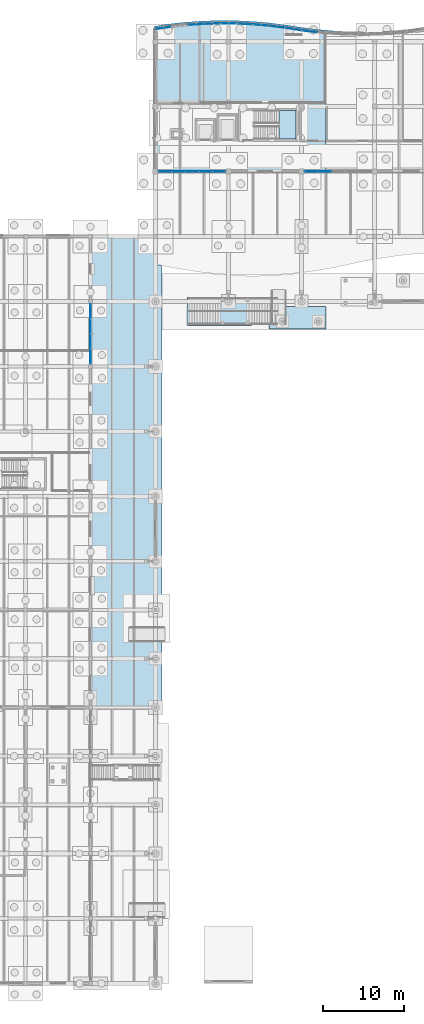
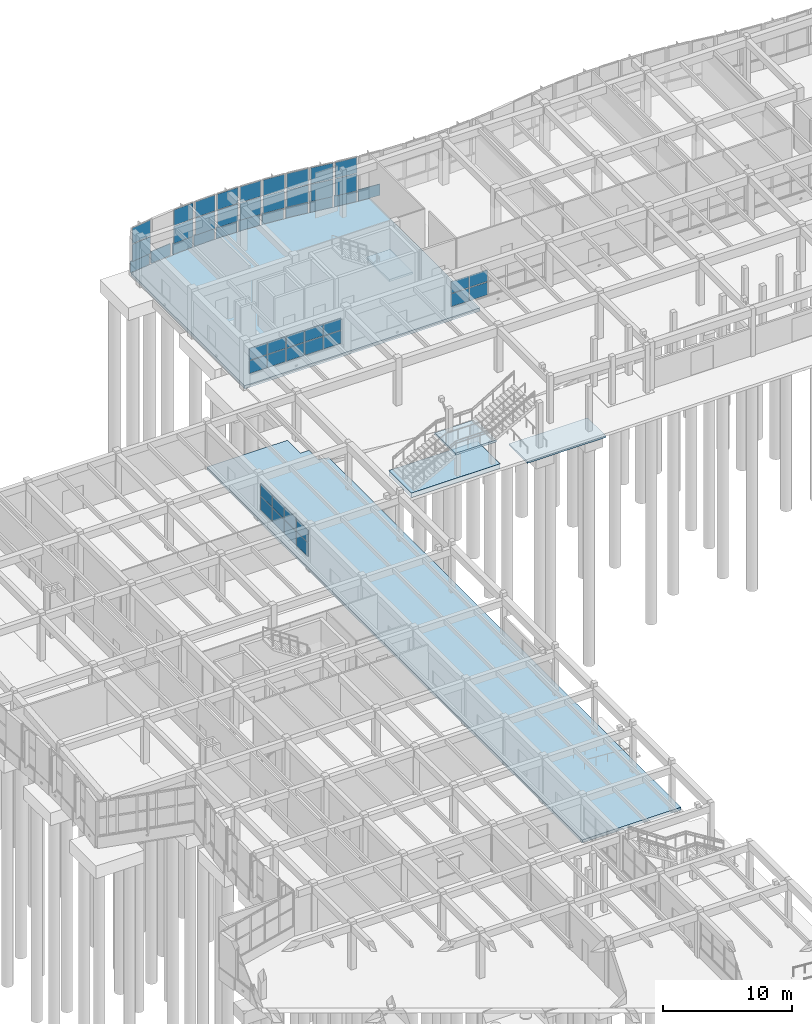
# One storey, part 54 of 99: 51 plates, 6 slabs, 14 elements without a shape of their own.
"""IFC4 building model written with IfcOpenShell, lengths in metres."""

from ifc_helpers import new_model, si_unit, direction, frame, origin, origin_2d, place, context, subcontext, project, spatial, polyline, rectangle, outline, extrude, material, layer, layer_set, type_object, element, aggregate, save


model = new_model("IFC4")

# Units and contexts
model_context = context("Model", 3, precision=1e-05, world=origin(), true_north=direction((0.0, 1.0)))
body_context = subcontext(model_context, "Body", "Model", "MODEL_VIEW")
ifc_project = project(units=[si_unit("LENGTHUNIT", "METRE"), si_unit("AREAUNIT", "SQUARE_METRE"), si_unit("VOLUMEUNIT", "CUBIC_METRE"), si_unit("PLANEANGLEUNIT", "RADIAN"), si_unit("MASSUNIT", "GRAM", prefix="KILO")], contexts=[model_context])

# Site, building, storey
site_placement = place(None, origin())
site = spatial("IfcSite", under=ifc_project, at=site_placement, CompositionType="ELEMENT")
building_placement = place(site_placement, origin())
building = spatial("IfcBuilding", under=site, at=building_placement, Name="Tonlespit Floodbar School", CompositionType="ELEMENT")
storey_placement = place(building_placement, origin())
storey = spatial("IfcBuildingStorey", under=building, at=storey_placement, Name="L00", CompositionType="ELEMENT", Elevation=0.0)

# Curtain wall, plates
ifc_material_1 = material(Name="Anodised Aluminium", Category="aluminium")
ifc_layer_1 = layer(ifc_material_1, 0.159912109375)
ifc_layer_set_1 = layer_set([ifc_layer_1], Name="Anodised Aluminium")
curtain_wall_type_1 = type_object("IfcCurtainWallType", Name="CurtainWall_1950x3300", PredefinedType="NOTDEFINED", material=ifc_layer_set_1)
curtain_wall_1_placement = place(storey_placement, origin())
curtain_wall_1 = element("IfcCurtainWall", 1, at=curtain_wall_1_placement, inside=storey, type_object=curtain_wall_type_1, Name="L00 unitised curtain wall 0001", PredefinedType="NOTDEFINED")
ifc_material_2 = material(Name="Laminated Low-E Glass", Category="glass")
ifc_layer_2 = layer(ifc_material_2, 0.028076171875)
ifc_layer_set_2 = layer_set([ifc_layer_2], Name="Laminated Low-E Glass")
plate_type_1 = type_object("IfcPlateType", Name="CW_Panel_Glaz_28", PredefinedType="CURTAIN_PANEL", material=ifc_layer_set_2)
plate_1_placement = place(storey_placement, frame((45.0, 121.69580078125, 1.014892578125), z_axis=(0.0, 0.0, 1.0), x_axis=(0.989541561858, 0.144248041079, 0.0)))
plate_1 = element("IfcPlate", 2, at=plate_1_placement, type_object=plate_type_1, Name="CW-01 panel 1.1", PredefinedType="CURTAIN_PANEL", context=body_context, shape_type="SweptSolid", body=[
    extrude(rectangle(XDim=1.81103515625, YDim=0.028076171875, at=origin_2d()), origin(), (0.0, 0.0, 1.0), 1.61328125),
])
plate_2_placement = place(storey_placement, frame((45.0, 121.69580078125, 2.693359375), z_axis=(0.0, 0.0, 1.0), x_axis=(0.989541561858, 0.144248041079, 0.0)))
plate_2 = element("IfcPlate", 3, at=plate_2_placement, type_object=plate_type_1, Name="CW-01 panel 1.2", PredefinedType="CURTAIN_PANEL", context=body_context, shape_type="SweptSolid", body=[
    extrude(rectangle(XDim=1.81103515625, YDim=0.028076171875, at=origin_2d()), origin(), (0.0, 0.0, 1.0), 1.481689453125),
])
aggregate(curtain_wall_1, [plate_1, plate_2])

ifc_layer_3 = layer(ifc_material_1, 0.159912109375)
ifc_layer_set_3 = layer_set([ifc_layer_3], Name="Anodised Aluminium")
curtain_wall_type_2 = type_object("IfcCurtainWallType", Name="CurtainWall_1900x3300", PredefinedType="NOTDEFINED", material=ifc_layer_set_3)
curtain_wall_2_placement = place(storey_placement, origin())
curtain_wall_2 = element("IfcCurtainWall", 4, at=curtain_wall_2_placement, inside=storey, type_object=curtain_wall_type_2, Name="L00 unitised curtain wall 0005", PredefinedType="NOTDEFINED")
plate_3_placement = place(storey_placement, frame((55.0, 122.1796875, 1.014892578125), z_axis=(0.0, 0.0, 1.0), x_axis=(0.998841500616, -0.048121270216, 0.0)))
plate_3 = element("IfcPlate", 5, at=plate_3_placement, type_object=plate_type_1, Name="CW-02 panel 1.1", PredefinedType="CURTAIN_PANEL", context=body_context, shape_type="SweptSolid", body=[
    extrude(rectangle(XDim=1.792236328125, YDim=0.028076171875, at=origin_2d()), origin(), (0.0, 0.0, 1.0), 1.61328125),
])
plate_4_placement = place(storey_placement, frame((55.0, 122.1796875, 2.693359375), z_axis=(0.0, 0.0, 1.0), x_axis=(0.998841500616, -0.048121270216, 0.0)))
plate_4 = element("IfcPlate", 6, at=plate_4_placement, type_object=plate_type_1, Name="CW-02 panel 1.2", PredefinedType="CURTAIN_PANEL", context=body_context, shape_type="SweptSolid", body=[
    extrude(rectangle(XDim=1.792236328125, YDim=0.028076171875, at=origin_2d()), origin(), (0.0, 0.0, 1.0), 1.481689453125),
])
aggregate(curtain_wall_2, [plate_3, plate_4])

curtain_wall_3_placement = place(storey_placement, origin())
curtain_wall_3 = element("IfcCurtainWall", 7, at=curtain_wall_3_placement, inside=storey, type_object=curtain_wall_type_1, Name="L00 unitised curtain wall 0009", PredefinedType="NOTDEFINED")
plate_5_placement = place(storey_placement, frame((63.0, 121.268310546875, 1.014892578125), z_axis=(0.0, 0.0, 1.0), x_axis=(0.992155002499, -0.125013803299, 0.0)))
plate_5 = element("IfcPlate", 8, at=plate_5_placement, type_object=plate_type_1, Name="CW-01 panel 1.1", PredefinedType="CURTAIN_PANEL", context=body_context, shape_type="SweptSolid", body=[
    extrude(rectangle(XDim=1.805908203125, YDim=0.028076171875, at=origin_2d()), origin(), (0.0, 0.0, 1.0), 1.61328125),
])
plate_6_placement = place(storey_placement, frame((63.0, 121.268310546875, 2.693359375), z_axis=(0.0, 0.0, 1.0), x_axis=(0.992155002499, -0.125013803299, 0.0)))
plate_6 = element("IfcPlate", 9, at=plate_6_placement, type_object=plate_type_1, Name="CW-01 panel 1.2", PredefinedType="CURTAIN_PANEL", context=body_context, shape_type="SweptSolid", body=[
    extrude(rectangle(XDim=1.805908203125, YDim=0.028076171875, at=origin_2d()), origin(), (0.0, 0.0, 1.0), 1.481689453125),
])
aggregate(curtain_wall_3, [plate_5, plate_6])

curtain_wall_4_placement = place(storey_placement, origin())
curtain_wall_4 = element("IfcCurtainWall", 10, at=curtain_wall_4_placement, inside=storey, type_object=curtain_wall_type_2, Name="L00 unitised curtain wall 0002", PredefinedType="NOTDEFINED")
ifc_layer_4 = layer(ifc_material_2, 0.031982421875)
ifc_layer_set_4 = layer_set([ifc_layer_4], Name="Laminated Low-E Glass")
plate_type_2 = type_object("IfcPlateType", Name="CW_Panel_Glaz_32", PredefinedType="CURTAIN_PANEL", material=ifc_layer_set_4)
plate_7_placement = place(storey_placement, frame((49.0, 122.121826171875, 1.014892578125), z_axis=(0.0, 0.0, 1.0), x_axis=(0.99773010165, 0.067339767311, 0.0)))
plate_7 = element("IfcPlate", 11, at=plate_7_placement, type_object=plate_type_2, Name="CW-02 panel 1.1", PredefinedType="CURTAIN_PANEL", context=body_context, shape_type="SweptSolid", body=[
    extrude(rectangle(XDim=1.794677734375, YDim=0.031982421875, at=origin_2d()), origin(), (0.0, 0.0, 1.0), 1.61328125),
])
plate_8_placement = place(storey_placement, frame((49.0, 122.121826171875, 2.693359375), z_axis=(0.0, 0.0, 1.0), x_axis=(0.99773010165, 0.067339767311, 0.0)))
plate_8 = element("IfcPlate", 12, at=plate_8_placement, type_object=plate_type_2, Name="CW-02 panel 1.2", PredefinedType="CURTAIN_PANEL", context=body_context, shape_type="SweptSolid", body=[
    extrude(rectangle(XDim=1.794677734375, YDim=0.031982421875, at=origin_2d()), origin(), (0.0, 0.0, 1.0), 1.481689453125),
])
aggregate(curtain_wall_4, [plate_7, plate_8])

curtain_wall_5_placement = place(storey_placement, origin())
curtain_wall_5 = element("IfcCurtainWall", 13, at=curtain_wall_5_placement, inside=storey, type_object=curtain_wall_type_1, Name="L00 unitised curtain wall 0006", PredefinedType="NOTDEFINED")
plate_9_placement = place(storey_placement, frame((57.0, 122.044677734375, 1.014892578125), z_axis=(0.0, 0.0, 1.0), x_axis=(0.996249148412, -0.086531117454, 0.0)))
plate_9 = element("IfcPlate", 14, at=plate_9_placement, type_object=plate_type_2, Name="CW-01 panel 1.1", PredefinedType="CURTAIN_PANEL", context=body_context, shape_type="SweptSolid", body=[
    extrude(rectangle(XDim=1.797607421875, YDim=0.031982421875, at=origin_2d()), origin(), (0.0, 0.0, 1.0), 1.61328125),
])
plate_10_placement = place(storey_placement, frame((57.0, 122.044677734375, 2.693359375), z_axis=(0.0, 0.0, 1.0), x_axis=(0.996249148412, -0.086531117454, 0.0)))
plate_10 = element("IfcPlate", 15, at=plate_10_placement, type_object=plate_type_2, Name="CW-01 panel 1.2", PredefinedType="CURTAIN_PANEL", context=body_context, shape_type="SweptSolid", body=[
    extrude(rectangle(XDim=1.797607421875, YDim=0.031982421875, at=origin_2d()), origin(), (0.0, 0.0, 1.0), 1.481689453125),
])
aggregate(curtain_wall_5, [plate_9, plate_10])

ifc_layer_5 = layer(ifc_material_1, 0.159912109375)
ifc_layer_set_5 = layer_set([ifc_layer_5], Name="Anodised Aluminium")
curtain_wall_type_3 = type_object("IfcCurtainWallType", Name="CurtainWall_8300x2500", PredefinedType="NOTDEFINED", material=ifc_layer_set_5)
curtain_wall_6_placement = place(storey_placement, origin())
curtain_wall_6 = element("IfcCurtainWall", 16, at=curtain_wall_6_placement, inside=storey, type_object=curtain_wall_type_3, Name="L00 unitised curtain wall 0038", PredefinedType="NOTDEFINED")
plate_11_placement = place(storey_placement, frame((64.8359375, 104.0, 1.01513671875), z_axis=(0.0, 0.0, 1.0), x_axis=(-1.0, 0.0, 0.0)))
plate_11 = element("IfcPlate", 17, at=plate_11_placement, type_object=plate_type_2, Name="CW-03 panel 4.1", PredefinedType="CURTAIN_PANEL", context=body_context, shape_type="SweptSolid", body=[
    extrude(rectangle(XDim=1.59912109375, YDim=0.031982421875, at=origin_2d()), origin(), (0.0, 0.0, 1.0), 1.197265625),
])
plate_12_placement = place(storey_placement, frame((64.8359375, 104.0, 2.27734375), z_axis=(0.0, 0.0, 1.0), x_axis=(-1.0, 0.0, 0.0)))
plate_12 = element("IfcPlate", 18, at=plate_12_placement, type_object=plate_type_2, Name="CW-03 panel 4.2", PredefinedType="CURTAIN_PANEL", context=body_context, shape_type="SweptSolid", body=[
    extrude(rectangle(XDim=1.59912109375, YDim=0.031982421875, at=origin_2d()), origin(), (0.0, 0.0, 1.0), 1.09765625),
])
plate_13_placement = place(storey_placement, frame((63.188232421875, 104.0, 1.01513671875), z_axis=(0.0, 0.0, 1.0), x_axis=(-1.0, 0.0, 0.0)))
plate_13 = element("IfcPlate", 19, at=plate_13_placement, type_object=plate_type_2, Name="CW-03 panel 5.1", PredefinedType="CURTAIN_PANEL", context=body_context, shape_type="SweptSolid", body=[
    extrude(rectangle(XDim=1.56640625, YDim=0.031982421875, at=origin_2d()), origin(), (0.0, 0.0, 1.0), 1.197265625),
])
plate_14_placement = place(storey_placement, frame((63.188232421875, 104.0, 2.27734375), z_axis=(0.0, 0.0, 1.0), x_axis=(-1.0, 0.0, 0.0)))
plate_14 = element("IfcPlate", 20, at=plate_14_placement, type_object=plate_type_2, Name="CW-03 panel 5.2", PredefinedType="CURTAIN_PANEL", context=body_context, shape_type="SweptSolid", body=[
    extrude(rectangle(XDim=1.56640625, YDim=0.031982421875, at=origin_2d()), origin(), (0.0, 0.0, 1.0), 1.09765625),
])
aggregate(curtain_wall_6, [plate_11, plate_12, plate_13, plate_14])

ifc_layer_6 = layer(ifc_material_1, 0.159912109375)
ifc_layer_set_6 = layer_set([ifc_layer_6], Name="Anodised Aluminium")
curtain_wall_type_4 = type_object("IfcCurtainWallType", Name="CurtainWall_7400x2650", PredefinedType="NOTDEFINED", material=ifc_layer_set_6)
curtain_wall_7_placement = place(storey_placement, origin())
curtain_wall_7 = element("IfcCurtainWall", 21, at=curtain_wall_7_placement, inside=storey, type_object=curtain_wall_type_4, Name="L00 unitised curtain wall 0266", PredefinedType="NOTDEFINED")
plate_15_placement = place(storey_placement, frame((36.0, 86.766357421875, 1.014892578125), z_axis=(0.0, 0.0, 1.0), x_axis=(0.0, -1.0, 0.0)))
plate_15 = element("IfcPlate", 22, at=plate_15_placement, type_object=plate_type_2, Name="CW-34 panel 1.1", PredefinedType="CURTAIN_PANEL", context=body_context, shape_type="SweptSolid", body=[
    extrude(rectangle(XDim=1.757568359375, YDim=0.031982421875, at=origin_2d()), origin(), (0.0, 0.0, 1.0), 1.275390625),
])
plate_16_placement = place(storey_placement, frame((36.0, 86.766357421875, 2.35546875), z_axis=(0.0, 0.0, 1.0), x_axis=(0.0, -1.0, 0.0)))
plate_16 = element("IfcPlate", 23, at=plate_16_placement, type_object=plate_type_2, Name="CW-34 panel 1.2", PredefinedType="CURTAIN_PANEL", context=body_context, shape_type="SweptSolid", body=[
    extrude(rectangle(XDim=1.757568359375, YDim=0.031982421875, at=origin_2d()), origin(), (0.0, 0.0, 1.0), 1.169677734375),
])
plate_17_placement = place(storey_placement, frame((36.0, 84.927490234375, 1.014892578125), z_axis=(0.0, 0.0, 1.0), x_axis=(0.0, -1.0, 0.0)))
plate_17 = element("IfcPlate", 24, at=plate_17_placement, type_object=plate_type_2, Name="CW-34 panel 2.1", PredefinedType="CURTAIN_PANEL", context=body_context, shape_type="SweptSolid", body=[
    extrude(rectangle(XDim=1.7900390625, YDim=0.031982421875, at=origin_2d()), origin(), (0.0, 0.0, 1.0), 1.275390625),
])
plate_18_placement = place(storey_placement, frame((36.0, 84.927490234375, 2.35546875), z_axis=(0.0, 0.0, 1.0), x_axis=(0.0, -1.0, 0.0)))
plate_18 = element("IfcPlate", 25, at=plate_18_placement, type_object=plate_type_2, Name="CW-34 panel 2.2", PredefinedType="CURTAIN_PANEL", context=body_context, shape_type="SweptSolid", body=[
    extrude(rectangle(XDim=1.7900390625, YDim=0.031982421875, at=origin_2d()), origin(), (0.0, 0.0, 1.0), 1.169677734375),
])
plate_19_placement = place(storey_placement, frame((36.0, 83.072509765625, 1.014892578125), z_axis=(0.0, 0.0, 1.0), x_axis=(0.0, -1.0, 0.0)))
plate_19 = element("IfcPlate", 26, at=plate_19_placement, type_object=plate_type_2, Name="CW-34 panel 3.1", PredefinedType="CURTAIN_PANEL", context=body_context, shape_type="SweptSolid", body=[
    extrude(rectangle(XDim=1.7900390625, YDim=0.031982421875, at=origin_2d()), origin(), (0.0, 0.0, 1.0), 1.275390625),
])
plate_20_placement = place(storey_placement, frame((36.0, 83.072509765625, 2.35546875), z_axis=(0.0, 0.0, 1.0), x_axis=(0.0, -1.0, 0.0)))
plate_20 = element("IfcPlate", 27, at=plate_20_placement, type_object=plate_type_2, Name="CW-34 panel 3.2", PredefinedType="CURTAIN_PANEL", context=body_context, shape_type="SweptSolid", body=[
    extrude(rectangle(XDim=1.7900390625, YDim=0.031982421875, at=origin_2d()), origin(), (0.0, 0.0, 1.0), 1.169677734375),
])
plate_21_placement = place(storey_placement, frame((36.0, 81.233642578125, 1.014892578125), z_axis=(0.0, 0.0, 1.0), x_axis=(0.0, -1.0, 0.0)))
plate_21 = element("IfcPlate", 28, at=plate_21_placement, type_object=plate_type_2, Name="CW-34 panel 4.1", PredefinedType="CURTAIN_PANEL", context=body_context, shape_type="SweptSolid", body=[
    extrude(rectangle(XDim=1.757568359375, YDim=0.031982421875, at=origin_2d()), origin(), (0.0, 0.0, 1.0), 1.275390625),
])
plate_22_placement = place(storey_placement, frame((36.0, 81.233642578125, 2.35546875), z_axis=(0.0, 0.0, 1.0), x_axis=(0.0, -1.0, 0.0)))
plate_22 = element("IfcPlate", 29, at=plate_22_placement, type_object=plate_type_2, Name="CW-34 panel 4.2", PredefinedType="CURTAIN_PANEL", context=body_context, shape_type="SweptSolid", body=[
    extrude(rectangle(XDim=1.757568359375, YDim=0.031982421875, at=origin_2d()), origin(), (0.0, 0.0, 1.0), 1.169677734375),
])
aggregate(curtain_wall_7, [plate_15, plate_16, plate_17, plate_18, plate_19, plate_20, plate_21, plate_22])

curtain_wall_8_placement = place(storey_placement, origin())
curtain_wall_8 = element("IfcCurtainWall", 30, at=curtain_wall_8_placement, inside=storey, type_object=curtain_wall_type_2, Name="L00 unitised curtain wall 0003", PredefinedType="NOTDEFINED")
ifc_layer_7 = layer(ifc_material_2, 0.035888671875)
ifc_layer_set_7 = layer_set([ifc_layer_7], Name="Laminated Low-E Glass")
plate_type_3 = type_object("IfcPlateType", Name="CW_Panel_Glaz_36", PredefinedType="CURTAIN_PANEL", material=ifc_layer_set_7)
plate_23_placement = place(storey_placement, frame((51.0, 122.21826171875, 1.014892578125), z_axis=(0.0, 0.0, 1.0), x_axis=(0.999585477883, 0.028790144226, 0.0)))
plate_23 = element("IfcPlate", 31, at=plate_23_placement, type_object=plate_type_3, Name="CW-02 panel 1.1", PredefinedType="CURTAIN_PANEL", context=body_context, shape_type="SweptSolid", body=[
    extrude(rectangle(XDim=1.790771484375, YDim=0.035888671875, at=origin_2d()), origin(), (0.0, 0.0, 1.0), 1.61328125),
])
plate_24_placement = place(storey_placement, frame((51.0, 122.21826171875, 2.693359375), z_axis=(0.0, 0.0, 1.0), x_axis=(0.999585477883, 0.028790144226, 0.0)))
plate_24 = element("IfcPlate", 32, at=plate_24_placement, type_object=plate_type_3, Name="CW-02 panel 1.2", PredefinedType="CURTAIN_PANEL", context=body_context, shape_type="SweptSolid", body=[
    extrude(rectangle(XDim=1.790771484375, YDim=0.035888671875, at=origin_2d()), origin(), (0.0, 0.0, 1.0), 1.481689453125),
])
aggregate(curtain_wall_8, [plate_23, plate_24])

curtain_wall_9_placement = place(storey_placement, origin())
curtain_wall_9 = element("IfcCurtainWall", 33, at=curtain_wall_9_placement, inside=storey, type_object=curtain_wall_type_1, Name="L00 unitised curtain wall 0007", PredefinedType="NOTDEFINED")
plate_25_placement = place(storey_placement, frame((59.0, 121.831787109375, 1.014892578125), z_axis=(0.0, 0.0, 1.0), x_axis=(0.992155002499, -0.125013803299, 0.0)))
plate_25 = element("IfcPlate", 34, at=plate_25_placement, type_object=plate_type_3, Name="CW-01 panel 1.1", PredefinedType="CURTAIN_PANEL", context=body_context, shape_type="SweptSolid", body=[
    extrude(rectangle(XDim=1.805908203125, YDim=0.035888671875, at=origin_2d()), origin(), (0.0, 0.0, 1.0), 1.61328125),
])
plate_26_placement = place(storey_placement, frame((59.0, 121.831787109375, 2.693359375), z_axis=(0.0, 0.0, 1.0), x_axis=(0.992155002499, -0.125013803299, 0.0)))
plate_26 = element("IfcPlate", 35, at=plate_26_placement, type_object=plate_type_3, Name="CW-01 panel 1.2", PredefinedType="CURTAIN_PANEL", context=body_context, shape_type="SweptSolid", body=[
    extrude(rectangle(XDim=1.805908203125, YDim=0.035888671875, at=origin_2d()), origin(), (0.0, 0.0, 1.0), 1.481689453125),
])
aggregate(curtain_wall_9, [plate_25, plate_26])

curtain_wall_10_placement = place(storey_placement, origin())
curtain_wall_10 = element("IfcCurtainWall", 36, at=curtain_wall_10_placement, inside=storey, type_object=curtain_wall_type_3, Name="L00 unitised curtain wall 0039", PredefinedType="NOTDEFINED")
plate_27_placement = place(storey_placement, frame((51.811767578125, 104.0, 1.01513671875), z_axis=(0.0, 0.0, 1.0), x_axis=(-1.0, 0.0, 0.0)))
plate_27 = element("IfcPlate", 37, at=plate_27_placement, type_object=plate_type_3, Name="CW-03 panel 1.1", PredefinedType="CURTAIN_PANEL", context=body_context, shape_type="SweptSolid", body=[
    extrude(rectangle(XDim=1.56640625, YDim=0.035888671875, at=origin_2d()), origin(), (0.0, 0.0, 1.0), 1.197265625),
])
plate_28_placement = place(storey_placement, frame((51.811767578125, 104.0, 2.27734375), z_axis=(0.0, 0.0, 1.0), x_axis=(-1.0, 0.0, 0.0)))
plate_28 = element("IfcPlate", 38, at=plate_28_placement, type_object=plate_type_3, Name="CW-03 panel 1.2", PredefinedType="CURTAIN_PANEL", context=body_context, shape_type="SweptSolid", body=[
    extrude(rectangle(XDim=1.56640625, YDim=0.035888671875, at=origin_2d()), origin(), (0.0, 0.0, 1.0), 1.09765625),
])
plate_29_placement = place(storey_placement, frame((50.1640625, 104.0, 1.01513671875), z_axis=(0.0, 0.0, 1.0), x_axis=(-1.0, 0.0, 0.0)))
plate_29 = element("IfcPlate", 39, at=plate_29_placement, type_object=plate_type_3, Name="CW-03 panel 2.1", PredefinedType="CURTAIN_PANEL", context=body_context, shape_type="SweptSolid", body=[
    extrude(rectangle(XDim=1.59912109375, YDim=0.035888671875, at=origin_2d()), origin(), (0.0, 0.0, 1.0), 1.197265625),
])
plate_30_placement = place(storey_placement, frame((50.1640625, 104.0, 2.27734375), z_axis=(0.0, 0.0, 1.0), x_axis=(-1.0, 0.0, 0.0)))
plate_30 = element("IfcPlate", 40, at=plate_30_placement, type_object=plate_type_3, Name="CW-03 panel 2.2", PredefinedType="CURTAIN_PANEL", context=body_context, shape_type="SweptSolid", body=[
    extrude(rectangle(XDim=1.59912109375, YDim=0.035888671875, at=origin_2d()), origin(), (0.0, 0.0, 1.0), 1.09765625),
])
plate_31_placement = place(storey_placement, frame((48.5, 104.0, 1.01513671875), z_axis=(0.0, 0.0, 1.0), x_axis=(-1.0, 0.0, 0.0)))
plate_31 = element("IfcPlate", 41, at=plate_31_placement, type_object=plate_type_3, Name="CW-03 panel 3.1", PredefinedType="CURTAIN_PANEL", context=body_context, shape_type="SweptSolid", body=[
    extrude(rectangle(XDim=1.59912109375, YDim=0.035888671875, at=origin_2d()), origin(), (0.0, 0.0, 1.0), 1.197265625),
])
plate_32_placement = place(storey_placement, frame((48.5, 104.0, 2.27734375), z_axis=(0.0, 0.0, 1.0), x_axis=(-1.0, 0.0, 0.0)))
plate_32 = element("IfcPlate", 42, at=plate_32_placement, type_object=plate_type_3, Name="CW-03 panel 3.2", PredefinedType="CURTAIN_PANEL", context=body_context, shape_type="SweptSolid", body=[
    extrude(rectangle(XDim=1.59912109375, YDim=0.035888671875, at=origin_2d()), origin(), (0.0, 0.0, 1.0), 1.09765625),
])
plate_33_placement = place(storey_placement, frame((46.8359375, 104.0, 1.01513671875), z_axis=(0.0, 0.0, 1.0), x_axis=(-1.0, 0.0, 0.0)))
plate_33 = element("IfcPlate", 43, at=plate_33_placement, type_object=plate_type_3, Name="CW-03 panel 4.1", PredefinedType="CURTAIN_PANEL", context=body_context, shape_type="SweptSolid", body=[
    extrude(rectangle(XDim=1.59912109375, YDim=0.035888671875, at=origin_2d()), origin(), (0.0, 0.0, 1.0), 1.197265625),
])
plate_34_placement = place(storey_placement, frame((46.8359375, 104.0, 2.27734375), z_axis=(0.0, 0.0, 1.0), x_axis=(-1.0, 0.0, 0.0)))
plate_34 = element("IfcPlate", 44, at=plate_34_placement, type_object=plate_type_3, Name="CW-03 panel 4.2", PredefinedType="CURTAIN_PANEL", context=body_context, shape_type="SweptSolid", body=[
    extrude(rectangle(XDim=1.59912109375, YDim=0.035888671875, at=origin_2d()), origin(), (0.0, 0.0, 1.0), 1.09765625),
])
plate_35_placement = place(storey_placement, frame((45.188232421875, 104.0, 1.01513671875), z_axis=(0.0, 0.0, 1.0), x_axis=(-1.0, 0.0, 0.0)))
plate_35 = element("IfcPlate", 45, at=plate_35_placement, type_object=plate_type_3, Name="CW-03 panel 5.1", PredefinedType="CURTAIN_PANEL", context=body_context, shape_type="SweptSolid", body=[
    extrude(rectangle(XDim=1.56640625, YDim=0.035888671875, at=origin_2d()), origin(), (0.0, 0.0, 1.0), 1.197265625),
])
plate_36_placement = place(storey_placement, frame((45.188232421875, 104.0, 2.27734375), z_axis=(0.0, 0.0, 1.0), x_axis=(-1.0, 0.0, 0.0)))
plate_36 = element("IfcPlate", 46, at=plate_36_placement, type_object=plate_type_3, Name="CW-03 panel 5.2", PredefinedType="CURTAIN_PANEL", context=body_context, shape_type="SweptSolid", body=[
    extrude(rectangle(XDim=1.56640625, YDim=0.035888671875, at=origin_2d()), origin(), (0.0, 0.0, 1.0), 1.09765625),
])
aggregate(curtain_wall_10, [plate_27, plate_28, plate_29, plate_30, plate_31, plate_32, plate_33, plate_34, plate_35, plate_36])

curtain_wall_11_placement = place(storey_placement, origin())
curtain_wall_11 = element("IfcCurtainWall", 47, at=curtain_wall_11_placement, inside=storey, type_object=curtain_wall_type_2, Name="L00 unitised curtain wall 0004", PredefinedType="NOTDEFINED")
ifc_layer_8 = layer(ifc_material_2, 0.0419921875)
ifc_layer_set_8 = layer_set([ifc_layer_8], Name="Laminated Low-E Glass")
plate_type_4 = type_object("IfcPlateType", Name="CW_Panel_Glaz_42", PredefinedType="CURTAIN_PANEL", material=ifc_layer_set_8)
plate_37_placement = place(storey_placement, frame((53.0, 122.2373046875, 1.014892578125), z_axis=(0.0, 0.0, 1.0), x_axis=(0.999954083024, -0.009582893292, 0.0)))
plate_37 = element("IfcPlate", 48, at=plate_37_placement, type_object=plate_type_4, Name="CW-02 panel 1.1", PredefinedType="CURTAIN_PANEL", context=body_context, shape_type="SweptSolid", body=[
    extrude(rectangle(XDim=1.7900390625, YDim=0.0419921875, at=origin_2d()), origin(), (0.0, 0.0, 1.0), 1.61328125),
])
plate_38_placement = place(storey_placement, frame((53.0, 122.2373046875, 2.693359375), z_axis=(0.0, 0.0, 1.0), x_axis=(0.999954083024, -0.009582893292, 0.0)))
plate_38 = element("IfcPlate", 49, at=plate_38_placement, type_object=plate_type_4, Name="CW-02 panel 1.2", PredefinedType="CURTAIN_PANEL", context=body_context, shape_type="SweptSolid", body=[
    extrude(rectangle(XDim=1.7900390625, YDim=0.0419921875, at=origin_2d()), origin(), (0.0, 0.0, 1.0), 1.481689453125),
])
aggregate(curtain_wall_11, [plate_37, plate_38])

curtain_wall_12_placement = place(storey_placement, origin())
curtain_wall_12 = element("IfcCurtainWall", 50, at=curtain_wall_12_placement, inside=storey, type_object=curtain_wall_type_1, Name="L00 unitised curtain wall 0008", PredefinedType="NOTDEFINED")
plate_39_placement = place(storey_placement, frame((61.0, 121.550048828125, 1.014892578125), z_axis=(0.0, 0.0, 1.0), x_axis=(0.988102576465, -0.153796288585, 0.0)))
plate_39 = element("IfcPlate", 51, at=plate_39_placement, type_object=plate_type_4, Name="CW-01 panel 1.1", PredefinedType="CURTAIN_PANEL", context=body_context, shape_type="SweptSolid", body=[
    extrude(rectangle(XDim=1.814208984375, YDim=0.0419921875, at=origin_2d()), origin(), (0.0, 0.0, 1.0), 1.61328125),
])
plate_40_placement = place(storey_placement, frame((61.0, 121.550048828125, 2.693359375), z_axis=(0.0, 0.0, 1.0), x_axis=(0.988102576465, -0.153796288585, 0.0)))
plate_40 = element("IfcPlate", 52, at=plate_40_placement, type_object=plate_type_4, Name="CW-01 panel 1.2", PredefinedType="CURTAIN_PANEL", context=body_context, shape_type="SweptSolid", body=[
    extrude(rectangle(XDim=1.814208984375, YDim=0.0419921875, at=origin_2d()), origin(), (0.0, 0.0, 1.0), 1.481689453125),
])
aggregate(curtain_wall_12, [plate_39, plate_40])

# Plates
ifc_material_3 = material(Name="White Architectural Aluminium", Category="aluminium")
ifc_layer_9 = layer(ifc_material_3, 0.06494140625)
ifc_layer_set_9 = layer_set([ifc_layer_9], Name="White Architectural Aluminium")
plate_type_5 = type_object("IfcPlateType", Name="FacadeRibbon_White_65", PredefinedType="SHEET", material=ifc_layer_set_9)
plate_41_placement = place(storey_placement, frame((44.9736328125, 121.8759765625, -0.1201171875), z_axis=(0.0, 0.0, 1.0), x_axis=(0.989537627347, 0.144275029245, 0.0)))
element("IfcPlate", 53, at=plate_41_placement, inside=storey, type_object=plate_type_5, Name="L00 flowing white street spandrel ribbon 0001", PredefinedType="SHEET", context=body_context, shape_type="SweptSolid", body=[
    extrude(rectangle(XDim=1.861083984375, YDim=0.06494140625, at=origin_2d()), origin(), (0.0, 0.0, 1.0), 1.070068359375),
])
plate_42_placement = place(storey_placement, frame((46.978515625, 122.148681640625, -0.1201171875), z_axis=(0.0, 0.0, 1.0), x_axis=(0.99439234017, 0.105753835922, 0.0)))
element("IfcPlate", 54, at=plate_42_placement, inside=storey, type_object=plate_type_5, Name="L00 flowing white street spandrel ribbon 0002", PredefinedType="SHEET", context=body_context, shape_type="SweptSolid", body=[
    extrude(rectangle(XDim=1.851318359375, YDim=0.06494140625, at=origin_2d()), origin(), (0.0, 0.0, 1.0), 1.1201171875),
])
plate_43_placement = place(storey_placement, frame((48.98779296875, 122.303466796875, -0.1201171875), z_axis=(0.0, 0.0, 1.0), x_axis=(0.997729639049, 0.067346621018, 0.0)))
element("IfcPlate", 55, at=plate_43_placement, inside=storey, type_object=plate_type_5, Name="L00 flowing white street spandrel ribbon 0003", PredefinedType="SHEET", context=body_context, shape_type="SweptSolid", body=[
    extrude(rectangle(XDim=1.844482421875, YDim=0.06494140625, at=origin_2d()), origin(), (0.0, 0.0, 1.0), 1.070068359375),
])
plate_44_placement = place(storey_placement, frame((50.994873046875, 122.400146484375, -0.1201171875), z_axis=(0.0, 0.0, 1.0), x_axis=(0.999584110869, 0.02883756748, 0.0)))
element("IfcPlate", 56, at=plate_44_placement, inside=storey, type_object=plate_type_5, Name="L00 flowing white street spandrel ribbon 0004", PredefinedType="SHEET", context=body_context, shape_type="SweptSolid", body=[
    extrude(rectangle(XDim=1.8408203125, YDim=0.06494140625, at=origin_2d()), origin(), (0.0, 0.0, 1.0), 1.070068359375),
])
plate_45_placement = place(storey_placement, frame((53.001708984375, 122.41943359375, -0.1201171875), z_axis=(0.0, 0.0, 1.0), x_axis=(0.999953926969, -0.009599163462, 0.0)))
element("IfcPlate", 57, at=plate_45_placement, inside=storey, type_object=plate_type_5, Name="L00 flowing white street spandrel ribbon 0005", PredefinedType="SHEET", context=body_context, shape_type="SweptSolid", body=[
    extrude(rectangle(XDim=1.840087890625, YDim=0.06494140625, at=origin_2d()), origin(), (0.0, 0.0, 1.0), 1.070068359375),
])
plate_46_placement = place(storey_placement, frame((55.0087890625, 122.361328125, -0.1201171875), z_axis=(0.0, 0.0, 1.0), x_axis=(0.998842769234, -0.048094930587, 0.0)))
element("IfcPlate", 58, at=plate_46_placement, inside=storey, type_object=plate_type_5, Name="L00 flowing white street spandrel ribbon 0006", PredefinedType="SHEET", context=body_context, shape_type="SweptSolid", body=[
    extrude(rectangle(XDim=1.84228515625, YDim=0.06494140625, at=origin_2d()), origin(), (0.0, 0.0, 1.0), 1.070068359375),
])
plate_47_placement = place(storey_placement, frame((57.015869140625, 122.225830078125, -0.1201171875), z_axis=(0.0, 0.0, 1.0), x_axis=(0.996245486492, -0.086573267488, 0.0)))
element("IfcPlate", 59, at=plate_47_placement, inside=storey, type_object=plate_type_5, Name="L00 flowing white street spandrel ribbon 0007", PredefinedType="SHEET", context=body_context, shape_type="SweptSolid", body=[
    extrude(rectangle(XDim=1.847412109375, YDim=0.06494140625, at=origin_2d()), origin(), (0.0, 0.0, 1.0), 1.070068359375),
])
plate_48_placement = place(storey_placement, frame((59.022705078125, 122.01220703125, -0.1201171875), z_axis=(0.0, 0.0, 1.0), x_axis=(0.99215533612, -0.125011155539, 0.0)))
element("IfcPlate", 60, at=plate_48_placement, inside=storey, type_object=plate_type_5, Name="L00 flowing white street spandrel ribbon 0008", PredefinedType="SHEET", context=body_context, shape_type="SweptSolid", body=[
    extrude(rectangle(XDim=1.855712890625, YDim=0.06494140625, at=origin_2d()), origin(), (0.0, 0.0, 1.0), 1.070068359375),
])
plate_49_placement = place(storey_placement, frame((61.028076171875, 121.729736328125, -0.1201171875), z_axis=(0.0, 0.0, 1.0), x_axis=(0.988094768361, -0.153846445322, 0.0)))
element("IfcPlate", 61, at=plate_49_placement, inside=storey, type_object=plate_type_5, Name="L00 flowing white street spandrel ribbon 0009", PredefinedType="SHEET", context=body_context, shape_type="SweptSolid", body=[
    extrude(rectangle(XDim=1.864013671875, YDim=0.06494140625, at=origin_2d()), origin(), (0.0, 0.0, 1.0), 1.070068359375),
])
plate_50_placement = place(storey_placement, frame((63.022705078125, 121.448974609375, -0.1201171875), z_axis=(0.0, 0.0, 1.0), x_axis=(0.99215533612, -0.125011155539, 0.0)))
element("IfcPlate", 62, at=plate_50_placement, inside=storey, type_object=plate_type_5, Name="L00 flowing white street spandrel ribbon 0010", PredefinedType="SHEET", context=body_context, shape_type="SweptSolid", body=[
    extrude(rectangle(XDim=1.855712890625, YDim=0.06494140625, at=origin_2d()), origin(), (0.0, 0.0, 1.0), 1.070068359375),
])
plate_51_placement = place(storey_placement, frame((65.015869140625, 121.23681640625, -0.1201171875), z_axis=(0.0, 0.0, 1.0), x_axis=(0.996245486492, -0.086573267488, 0.0)))
element("IfcPlate", 63, at=plate_51_placement, inside=storey, type_object=plate_type_5, Name="L00 flowing white street spandrel ribbon 0011", PredefinedType="SHEET", context=body_context, shape_type="SweptSolid", body=[
    extrude(rectangle(XDim=1.847412109375, YDim=0.06494140625, at=origin_2d()), origin(), (0.0, 0.0, 1.0), 1.070068359375),
])

# Stair, slab
ifc_material_4 = material(Name="Concrete C40/50", Category="concrete")
stair_type_1 = type_object("IfcStairType", Name="Stair_Core_L00", PredefinedType="HALF_TURN_STAIR", material=ifc_material_4)
stair_1_placement = place(storey_placement, origin())
stair_1 = element("IfcStair", 64, at=stair_1_placement, inside=storey, type_object=stair_type_1, Name="L00 Core C1 escape stair", PredefinedType="HALF_TURN_STAIR")
ifc_layer_10 = layer(ifc_material_4, 0.199951171875)
ifc_layer_set_10 = layer_set([ifc_layer_10], Name="Concrete C40/50")
slab_type_1 = type_object("IfcSlabType", Name="Landing_Core_RC200", PredefinedType="LANDING", material=ifc_layer_set_10)
slab_1_placement = place(storey_placement, frame((0.0, 0.0, 2.050048828125)))
slab_1 = element("IfcSlab", 65, at=slab_1_placement, type_object=slab_type_1, Name="ST-C1 landing 1", PredefinedType="LANDING", context=body_context, shape_type="SweptSolid", body=[
    extrude(outline(polyline([(59.199951171875, 108.0), (61.300048828125, 108.0), (61.300048828125, 111.5400390625), (59.199951171875, 111.5400390625), (59.199951171875, 108.0)])), origin(), (0.0, 0.0, 1.0), 0.199951171875),
])
aggregate(stair_1, [slab_1])

ifc_material_5 = material(Name="White Architectural Precast concrete C40/50", Category="concrete")
stair_type_2 = type_object("IfcStairType", Name="Stair_Court_3200_L00", PredefinedType="STRAIGHT_RUN_STAIR", material=ifc_material_5)
stair_2_placement = place(storey_placement, origin())
stair_2 = element("IfcStair", 66, at=stair_2_placement, inside=storey, type_object=stair_type_2, Name="L00 stair ST-CT1", PredefinedType="STRAIGHT_RUN_STAIR")
ifc_layer_11 = layer(ifc_material_5, 0.199951171875)
ifc_layer_set_11 = layer_set([ifc_layer_11], Name="White Architectural Precast concrete C40/50")
slab_type_2 = type_object("IfcSlabType", Name="Landing_Court_RC215", PredefinedType="LANDING", material=ifc_layer_set_11)
slab_2_placement = place(storey_placement, frame((0.0, 0.0, 2.050048828125)))
slab_2 = element("IfcSlab", 67, at=slab_2_placement, type_object=slab_type_2, Name="ST-CT1 landing 1", PredefinedType="LANDING", context=body_context, shape_type="SweptSolid", body=[
    extrude(outline(polyline([(51.93994140625, 85.199951171875), (55.580078125, 85.199951171875), (55.580078125, 88.39990234375), (51.93994140625, 88.39990234375), (51.93994140625, 85.199951171875)])), origin(), (0.0, 0.0, 1.0), 0.199951171875),
])
aggregate(stair_2, [slab_2])

# Slabs
ifc_layer_12 = layer(ifc_material_4, 0.159912109375)
ifc_layer_set_12 = layer_set([ifc_layer_12], Name="Concrete C40/50")
slab_type_3 = type_object("IfcSlabType", Name="Slab_Apron_RC_160", PredefinedType="BASESLAB", material=ifc_layer_set_12)
slab_3_placement = place(storey_placement, frame((0.0, 0.0, -0.4599609375)))
element("IfcSlab", 68, at=slab_3_placement, inside=storey, type_object=slab_type_3, Name="Entrance ramp lower apron APR-N1", PredefinedType="BASESLAB", context=body_context, shape_type="SweptSolid", body=[
    extrude(outline(polyline([(58.0, 84.60009765625), (65.0, 84.60009765625), (65.0, 87.39990234375), (58.0, 87.39990234375), (58.0, 84.60009765625)])), origin(), (0.0, 0.0, 1.0), 0.159912109375),
])
ifc_layer_13 = layer(ifc_material_4, 0.300048828125)
ifc_layer_set_13 = layer_set([ifc_layer_13], Name="Concrete C40/50")
slab_type_4 = type_object("IfcSlabType", Name="Slab_Base_RC_200", PredefinedType="BASESLAB", material=ifc_layer_set_13)
slab_4_placement = place(storey_placement, frame((0.0, 0.0, -0.300048828125)))
element("IfcSlab", 69, at=slab_4_placement, inside=storey, type_object=slab_type_4, Name="L00 V1 L00 west curved street slab", PredefinedType="BASESLAB", context=body_context, shape_type="SweptSolid", body=[
    extrude(outline(polyline([(44.0, 121.550048828125), (46.10009765625, 121.85400390625), (48.199951171875, 122.0712890625), (50.300048828125, 122.202880859375), (52.39990234375, 122.249267578125), (54.5, 122.2109375), (56.60009765625, 122.08740234375), (58.699951171875, 121.87841796875), (62.89990234375, 121.27099609375), (65.0, 121.045654296875), (65.0, 104.0), (44.0, 104.0), (44.0, 121.550048828125)])), origin(), (0.0, 0.0, 1.0), 0.300048828125),
])
ifc_layer_14 = layer(ifc_material_4, 0.27001953125)
ifc_layer_set_14 = layer_set([ifc_layer_14], Name="Concrete C40/50")
slab_type_5 = type_object("IfcSlabType", Name="Slab_Colonnade_RC_180", PredefinedType="FLOOR", material=ifc_layer_set_14)
slab_5_placement = place(storey_placement, frame((0.0, 0.0, -0.27001953125)))
element("IfcSlab", 70, at=slab_5_placement, inside=storey, type_object=slab_type_5, Name="L00 V5 west north square colonnade deck", PredefinedType="FLOOR", context=body_context, shape_type="SweptSolid", body=[
    extrude(outline(polyline([(36.0, 38.0), (36.0, 96.0), (43.199951171875, 96.0), (43.199951171875, 94.0), (43.9599609375, 94.0), (43.964599609375, 92.581298828125), (44.800048828125, 92.385986328125), (44.800048828125, 38.0), (36.0, 38.0)])), origin(), (0.0, 0.0, 1.0), 0.27001953125),
])
ifc_layer_15 = layer(ifc_material_4, 0.449951171875)
ifc_layer_set_15 = layer_set([ifc_layer_15], Name="Concrete C40/50")
slab_type_6 = type_object("IfcSlabType", Name="Slab_StairPlinth_RC450", PredefinedType="BASESLAB", material=ifc_layer_set_15)
slab_6_placement = place(storey_placement, frame((0.0, 0.0, -0.449951171875)))
element("IfcSlab", 71, at=slab_6_placement, inside=storey, type_object=slab_type_6, Name="Stair ST-CT1 foundation plinth", PredefinedType="BASESLAB", context=body_context, shape_type="SweptSolid", body=[
    extrude(outline(polyline([(47.929931640625, 85.050048828125), (55.830078125, 85.050048828125), (55.830078125, 88.550048828125), (47.929931640625, 88.550048828125), (47.929931640625, 85.050048828125)])), origin(), (0.0, 0.0, 1.0), 0.449951171875),
])

save(model, "model.ifc")
